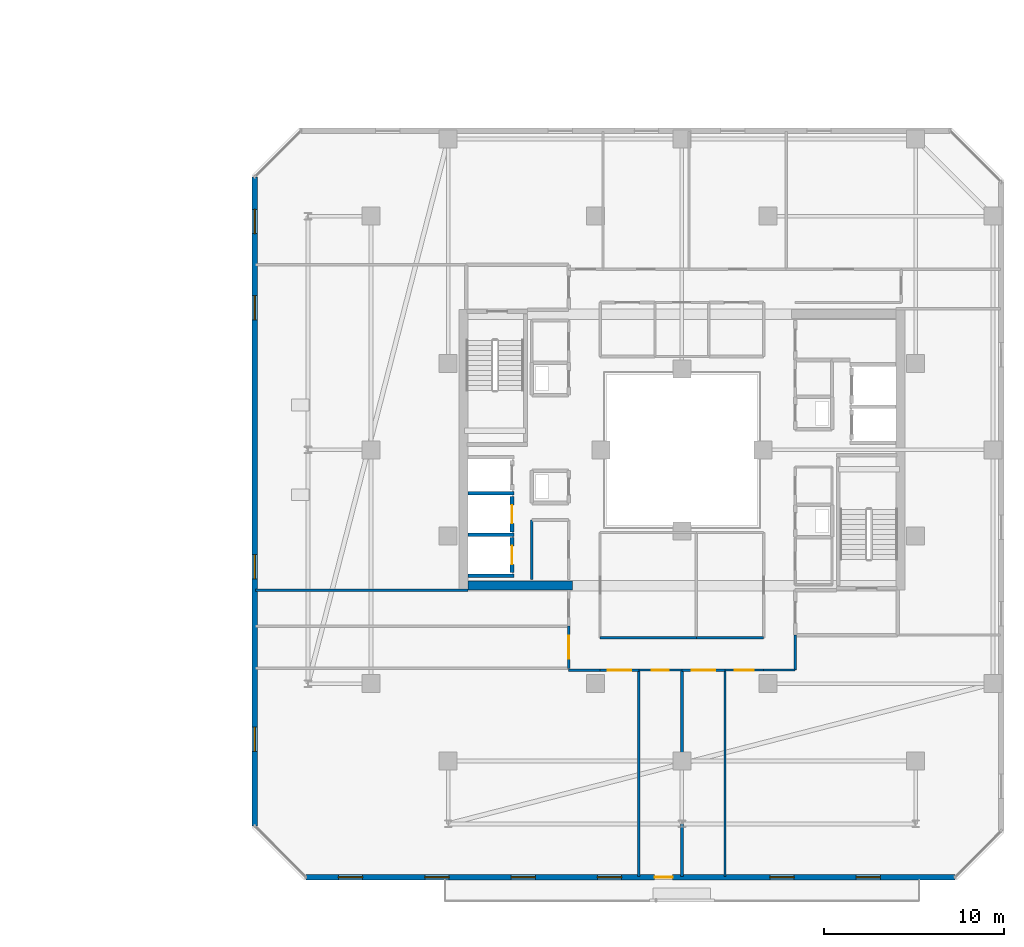
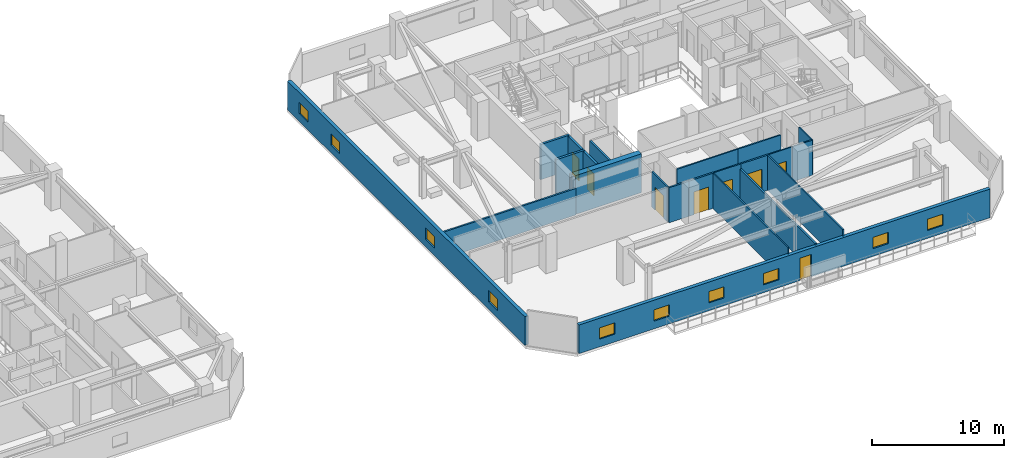
# One storey, part 23 of 33: 23 walls, 10 windows, 8 doors, 18 openings.
"""IFC4 building model written with IfcOpenShell, lengths in metres."""

import ifcopenshell
import ifcopenshell.guid

model = None  # the IFC model being written
_history = None  # IfcOwnerHistory: only IFC2X3 demands one
_inside = {}  # id of a spatial element -> (the spatial element, [elements in it])
_under = {}  # id of a project, library or spatial element -> (it, [spatial elements below it])
_declared = {}  # id of a project -> (the project, [libraries it declares])
_typed = {}  # id of a type object -> (the type object, [elements of that type])
_made_of = {}  # id of a material, layer set ... -> (it, [elements and type objects made of it])


def new_model(schema):
    """Start an empty IFC model of exactly this schema.

    Asked for "IFC4X3", IfcOpenShell would pick the latest addendum, in which some entities
    have other attributes; the version numbers below select the first issue.
    IFC2X3 requires an IfcOwnerHistory on every rooted entity: one is made here for all.
    """
    global model, _history
    if schema == "IFC4X3":
        model = ifcopenshell.file(schema_version=(4, 3, 0, 0))
    else:
        model = ifcopenshell.file(schema=schema)
    _inside.clear()
    _under.clear()
    _declared.clear()
    _typed.clear()
    _made_of.clear()
    _history = None
    if model.schema == "IFC2X3":
        org = make("IfcOrganization", Name="unknown")
        user = make(
            "IfcPersonAndOrganization",
            ThePerson=make("IfcPerson", FamilyName="unknown"),
            TheOrganization=org,
        )
        app = make(
            "IfcApplication",
            ApplicationDeveloper=org,
            Version="unknown",
            ApplicationFullName="unknown",
            ApplicationIdentifier="unknown",
        )
        _history = make(
            "IfcOwnerHistory",
            OwningUser=user,
            OwningApplication=app,
            ChangeAction="ADDED",
            CreationDate=0,
        )
    return model


def make(cls, **values):
    """One entity of the class cls with the attributes given. An attribute that is None is left unset."""
    return model.create_entity(
        cls, **{name: value for name, value in values.items() if value is not None}
    )


def rooted(cls, **values):
    """An entity with a GlobalId (a new one), such as an element, a storey or a relation."""
    return make(cls, GlobalId=ifcopenshell.guid.new(), OwnerHistory=_history, **values)


def si_unit(unit_type, name, prefix=None):
    """IfcSIUnit, for example si_unit("LENGTHUNIT", "METRE", prefix="MILLI")."""
    return make("IfcSIUnit", UnitType=unit_type, Prefix=prefix, Name=name)


def assignment(units):
    """IfcUnitAssignment: the units of a project."""
    return None if units is None else make("IfcUnitAssignment", Units=units)


def point(xyz):
    """IfcCartesianPoint."""
    return None if xyz is None else make("IfcCartesianPoint", Coordinates=xyz)


def direction(xyz):
    """IfcDirection."""
    return None if xyz is None else make("IfcDirection", DirectionRatios=xyz)


def frame(location, z_axis=None, x_axis=None):
    """IfcAxis2Placement3D, a coordinate frame: its origin and axes. An axis left out is left unset."""
    return make(
        "IfcAxis2Placement3D",
        Location=point(location),
        Axis=direction(z_axis),
        RefDirection=direction(x_axis),
    )


def frame_2d(location, x_axis=None):
    """IfcAxis2Placement2D, a coordinate frame in the plane: its origin and x axis."""
    return make(
        "IfcAxis2Placement2D", Location=point(location), RefDirection=direction(x_axis)
    )


def origin():
    """The frame at (0, 0, 0) with its axes left unset."""
    return frame((0.0, 0.0, 0.0))


def place(relative_to, where):
    """IfcLocalPlacement: puts the frame where relative to a parent placement (None: the world)."""
    return make(
        "IfcLocalPlacement", PlacementRelTo=relative_to, RelativePlacement=where
    )


def context(
    kind, dimensions, precision=None, world=None, true_north=None, identifier=None
):
    """IfcGeometricRepresentationContext, for example the 3D "Model" context."""
    return make(
        "IfcGeometricRepresentationContext",
        ContextIdentifier=identifier,
        ContextType=kind,
        CoordinateSpaceDimension=dimensions,
        Precision=precision,
        WorldCoordinateSystem=world,
        TrueNorth=true_north,
    )


def subcontext(parent, identifier, kind, view, scale=None):
    """IfcGeometricRepresentationSubContext, for example "Body" below "Model"."""
    return make(
        "IfcGeometricRepresentationSubContext",
        ContextIdentifier=identifier,
        ContextType=kind,
        ParentContext=parent,
        TargetScale=scale,
        TargetView=view,
    )


def project(units=None, contexts=None):
    """IfcProject with its units and contexts."""
    return rooted(
        "IfcProject",
        Name="project",
        RepresentationContexts=contexts,
        UnitsInContext=assignment(units),
    )


def spatial(cls, under=None, at=None, **own):
    """A site, building, storey or space (cls), placed at a placement, below another one or the project."""
    s = rooted(cls, ObjectPlacement=at, **own)
    if under is not None:
        _under.setdefault(under.id(), (under, []))[1].append(s)
    return s


def profile(cls, at=None, kind="AREA", **sizes):
    """A parametric profile (cls). Its sizes go by their IFC names, for example OverallWidth=200.0."""
    return make(cls, ProfileType=kind, Position=at, **sizes)


def rectangle(**sizes):
    """IfcRectangleProfileDef."""
    return profile("IfcRectangleProfileDef", **sizes)


def extrude(swept, where, along, depth):
    """IfcExtrudedAreaSolid: the profile swept, set in the frame where, extruded along a direction by depth."""
    return make(
        "IfcExtrudedAreaSolid",
        SweptArea=swept,
        Position=where,
        ExtrudedDirection=direction(along),
        Depth=depth,
    )


def shape(context_of_items, identifier, shape_type, items):
    """IfcShapeRepresentation: the items that make up one representation, for example the "Body"."""
    return make(
        "IfcShapeRepresentation",
        ContextOfItems=context_of_items,
        RepresentationIdentifier=identifier,
        RepresentationType=shape_type,
        Items=items,
    )


def material(Name=None, Category=None):
    """IfcMaterial."""
    return make("IfcMaterial", Name=Name, Category=Category)


def layer(
    of_material, thickness, ventilated=None, Name=None, Category=None, Priority=None
):
    """IfcMaterialLayer: one layer of a wall or slab, of a material (None: an air gap)."""
    return make(
        "IfcMaterialLayer",
        Material=of_material,
        LayerThickness=thickness,
        IsVentilated=ventilated,
        Name=Name,
        Category=Category,
        Priority=Priority,
    )


def layer_set(layers, Name=None):
    """IfcMaterialLayerSet."""
    return make("IfcMaterialLayerSet", MaterialLayers=layers, LayerSetName=Name)


def made_of(thing, what):
    """Note that an element or type object is made of a material, layer set ...; save() writes the relation."""
    if what is not None:
        _made_of.setdefault(what.id(), (what, []))[1].append(thing)
    return thing


def type_object(cls, material=None, **own):
    """A type object (cls), such as IfcWallType, which elements share."""
    return made_of(rooted(cls, **own), material)


def element(
    cls,
    number,
    at=None,
    inside=None,
    cuts=None,
    type_object=None,
    material=None,
    context=None,
    identifier="Body",
    shape_type=None,
    held_by="IfcProductDefinitionShape",
    body=None,
    shapes=None,
    **own,
):
    """One element of the class cls, such as IfcWall. Its Tag is "e" and its number.

    at: its placement. inside: the storey or other place that contains it. cuts: it is an
    opening in that element (IfcRelVoidsElement). A single representation is given by context,
    identifier, shape_type and body (its items); several are given by shapes. held_by: the class
    of the entity that holds the representations. save() writes the other relations.
    """
    e = rooted(cls, Tag="e%d" % number, ObjectPlacement=at, **own)
    if body is not None:
        shapes = [shape(context, identifier, shape_type, body)]
    if shapes is not None:
        e.Representation = make(held_by, Representations=shapes)
    if inside is not None:
        _inside.setdefault(inside.id(), (inside, []))[1].append(e)
    if cuts is not None:
        rooted(
            "IfcRelVoidsElement", RelatingBuildingElement=cuts, RelatedOpeningElement=e
        )
    if type_object is not None:
        _typed.setdefault(type_object.id(), (type_object, []))[1].append(e)
    return made_of(e, material)


def fill(opening, filler):
    """IfcRelFillsElement: the door or window that sits in an opening."""
    return rooted(
        "IfcRelFillsElement",
        RelatingOpeningElement=opening,
        RelatedBuildingElement=filler,
    )


def aggregate(whole, parts):
    """IfcRelAggregates: a whole, such as a stair, and the parts it consists of."""
    return rooted("IfcRelAggregates", RelatingObject=whole, RelatedObjects=parts)


def save(model, path):
    """Write the relations noted so far, then the file.

    IfcRelAggregates (storeys below a building ...), IfcRelContainedInSpatialStructure (elements
    in a storey), IfcRelDefinesByType, IfcRelAssociatesMaterial and IfcRelDeclares: one each for
    every whole, place, type object, material and project.
    """
    for whole, parts in _under.values():
        aggregate(whole, parts)
    for where, things in _inside.values():
        rooted(
            "IfcRelContainedInSpatialStructure",
            RelatedElements=things,
            RelatingStructure=where,
        )
    for kind, things in _typed.values():
        rooted("IfcRelDefinesByType", RelatedObjects=things, RelatingType=kind)
    for what, things in _made_of.values():
        rooted("IfcRelAssociatesMaterial", RelatedObjects=things, RelatingMaterial=what)
    for by, libraries in _declared.values():
        rooted("IfcRelDeclares", RelatingContext=by, RelatedDefinitions=libraries)
    model.write(path)


model = new_model("IFC4")

# Units and contexts
model_context = context("Model", 3, precision=1e-05, world=origin(), true_north=direction((0.0, 1.0)))
body_context = subcontext(model_context, "Body", "Model", "MODEL_VIEW")
ifc_project = project(units=[si_unit("LENGTHUNIT", "METRE"), si_unit("AREAUNIT", "SQUARE_METRE"), si_unit("VOLUMEUNIT", "CUBIC_METRE"), si_unit("PLANEANGLEUNIT", "RADIAN"), si_unit("MASSUNIT", "GRAM", prefix="KILO")], contexts=[model_context])

# Site, building, storey
site_placement = place(None, origin())
site = spatial("IfcSite", under=ifc_project, at=site_placement, CompositionType="ELEMENT")
building_placement = place(site_placement, origin())
building = spatial("IfcBuilding", under=site, at=building_placement, Name="Thornwick Lancets Civic Towers", CompositionType="ELEMENT")
storey_placement = place(building_placement, frame((0.0, 0.0, 218.10009765625)))
storey = spatial("IfcBuildingStorey", under=building, at=storey_placement, Name="L58", CompositionType="ELEMENT", Elevation=218.10009765625)

# Wall, opening, door
ifc_material_1 = material(Name="Concrete blockwork C40/50", Category="masonry")
ifc_layer_1 = layer(ifc_material_1, 0.199951171875, Name="Concrete blockwork C40/50")
ifc_layer_set_1 = layer_set([ifc_layer_1], Name="Concrete blockwork C40/50")
wall_type_1 = type_object("IfcWallType", Name="WALL_COMP_200", PredefinedType="STANDARD", material=ifc_layer_set_1)
wall_1_placement = place(storey_placement, frame((79.050048828125, 22.429931640625, 0.0), z_axis=(0.0, 0.0, 1.0), x_axis=(0.0, 1.0, 0.0)))
wall_1 = element("IfcWall", 1, at=wall_1_placement, inside=storey, type_object=wall_type_1, Name="L58 Hoistway Front Wall PL-BH2", PredefinedType="STANDARD", context=body_context, shape_type="SweptSolid", body=[
    extrude(rectangle(XDim=1.989990234375, YDim=0.199951171875, at=frame_2d((0.9951171875, 0.0))), origin(), (0.0, 0.0, 1.0), 3.260009765625),
])
opening_1_placement = place(wall_1_placement, frame((0.485107421875, 0.0, 0.0)))
opening_1 = element("IfcOpeningElement", 2, at=opening_1_placement, cuts=wall_1, Name="Opening LD-PL-BH2", PredefinedType="OPENING", context=body_context, shape_type="SweptSolid", body=[
    extrude(rectangle(XDim=1.02001953125, YDim=2.06005859375, at=frame_2d((0.510009765625, 1.030029296875))), frame((0.0, 0.10986328125, 0.0), z_axis=(0.0, -1.0, 0.0), x_axis=(1.0, 0.0, 0.0)), (0.0, 0.0, 1.0), 0.219970703125),
])
ifc_material_2 = material(Name="Brushed bronze stainless steel", Category="steel")
door_type_1 = type_object("IfcDoorType", Name="DOOR_LIFT_SLIDE", OperationType="SLIDING_TO_LEFT", PredefinedType="DOOR", material=ifc_material_2)
door_1_placement = place(opening_1_placement, origin())
door_1 = element("IfcDoor", 3, at=door_1_placement, inside=storey, type_object=door_type_1, Name="L58 Sliding Lift Landing Door LD-PL-BH2", OperationType="SLIDING_TO_LEFT", OverallHeight=2.06005859375, OverallWidth=1.02001953125, PredefinedType="DOOR", context=body_context, shape_type="SweptSolid", body=[
    extrude(rectangle(XDim=1.02001953125, YDim=2.06005859375, at=frame_2d((0.510009765625, 1.030029296875))), frame((0.0, 0.02490234375, 0.0), z_axis=(0.0, -1.0, 0.0), x_axis=(1.0, 0.0, 0.0)), (0.0, 0.0, 1.0), 0.050048828125),
])
fill(opening_1, door_1)

wall_2_placement = place(storey_placement, frame((79.050048828125, 20.179931640625, 0.0), z_axis=(0.0, 0.0, 1.0), x_axis=(0.0, 1.0, 0.0)))
wall_2 = element("IfcWall", 4, at=wall_2_placement, inside=storey, type_object=wall_type_1, Name="L58 Hoistway Front Wall PL-BH3", PredefinedType="STANDARD", context=body_context, shape_type="SweptSolid", body=[
    extrude(rectangle(XDim=1.940185546875, YDim=0.199951171875, at=frame_2d((0.97021484375, 0.0))), origin(), (0.0, 0.0, 1.0), 3.260009765625),
])
opening_2_placement = place(wall_2_placement, frame((0.4599609375, 0.0, 0.0)))
opening_2 = element("IfcOpeningElement", 5, at=opening_2_placement, cuts=wall_2, Name="Opening LD-PL-BH3", PredefinedType="OPENING", context=body_context, shape_type="SweptSolid", body=[
    extrude(rectangle(XDim=1.02001953125, YDim=2.06005859375, at=frame_2d((0.510009765625, 1.030029296875))), frame((0.0, 0.10986328125, 0.0), z_axis=(0.0, -1.0, 0.0), x_axis=(1.0, 0.0, 0.0)), (0.0, 0.0, 1.0), 0.219970703125),
])
door_2_placement = place(opening_2_placement, origin())
door_2 = element("IfcDoor", 6, at=door_2_placement, inside=storey, type_object=door_type_1, Name="L58 Sliding Lift Landing Door LD-PL-BH3", OperationType="SLIDING_TO_LEFT", OverallHeight=2.06005859375, OverallWidth=1.02001953125, PredefinedType="DOOR", context=body_context, shape_type="SweptSolid", body=[
    extrude(rectangle(XDim=1.02001953125, YDim=2.06005859375, at=frame_2d((0.510009765625, 1.030029296875))), frame((0.0, 0.02490234375, 0.0), z_axis=(0.0, -1.0, 0.0), x_axis=(1.0, 0.0, 0.0)), (0.0, 0.0, 1.0), 0.050048828125),
])
fill(opening_2, door_2)

# Walls
for number, where, z_axis, x_axis, name in (
    (7, (76.612060546875, 24.60009765625, 0.0), (0.0, 0.0, 1.0), (1.0, 0.0, 0.0), "L58 Hoistway Shaft Wall FL-B2 S"),
    (8, (76.612060546875, 22.27490234375, 0.0), (0.0, 0.0, 1.0), (1.0, 0.0, 0.0), "L58 Hoistway Shaft Wall PL-BH2 S"),
    (9, (76.612060546875, 20.0, 0.0), (0.0, 0.0, 1.0), (1.0, 0.0, 0.0), "L58 Hoistway Shaft Wall PL-BH3 S"),
):
    element("IfcWall", number, at=place(storey_placement, frame(where, z_axis=z_axis, x_axis=x_axis)), inside=storey, type_object=wall_type_1, Name=name, PredefinedType="STANDARD", context=body_context, shape_type="SweptSolid", body=[
        extrude(rectangle(XDim=2.535888671875, YDim=0.199951171875, at=frame_2d((1.26806640625, 0.0))), origin(), (0.0, 0.0, 1.0), 3.260009765625),
    ])
ifc_material_3 = material(Name="Concrete C50/60", Category="concrete")
ifc_layer_2 = layer(ifc_material_3, 0.5, Name="Concrete C50/60")
ifc_layer_set_2 = layer_set([ifc_layer_2], Name="Concrete C50/60")
wall_type_2 = type_object("IfcWallType", Name="WALL_CORE_500", PredefinedType="SHEAR", material=ifc_layer_set_2)
wall_3_placement = place(storey_placement, frame((76.60009765625, 19.449951171875, 0.0), z_axis=(0.0, 0.0, 1.0), x_axis=(1.0, 0.0, 0.0)))
element("IfcWall", 10, at=wall_3_placement, inside=storey, type_object=wall_type_2, Name="L58 Split Core B2 Shear Wall S", PredefinedType="SHEAR", context=body_context, shape_type="SweptSolid", body=[
    extrude(rectangle(XDim=5.7998046875, YDim=0.5, at=frame_2d((2.89990234375, 0.0))), origin(), (0.0, 0.0, 1.0), 3.599853515625),
])

# Wall, openings, door, windows
ifc_material_4 = material(Name="Insulated russet terracotta rainscreen on concrete C40/50", Category="masonry")
ifc_layer_3 = layer(ifc_material_4, 0.300048828125, Name="Insulated russet terracotta rainscreen on concrete C40/50")
ifc_layer_set_3 = layer_set([ifc_layer_3], Name="Insulated russet terracotta rainscreen on concrete C40/50")
wall_type_3 = type_object("IfcWallType", Name="WALL_EXT_RUSSET_300", PredefinedType="STANDARD", material=ifc_layer_set_3)
wall_4_placement = place(storey_placement, frame((67.594482421875, 3.236328125, 0.0), z_axis=(0.0, 0.0, 1.0), x_axis=(0.999999999634, -2.7061402e-05, 0.0)))
wall_4 = element("IfcWall", 11, at=wall_4_placement, inside=storey, type_object=wall_type_3, Name="L58 Tower B Terracotta Facade Wall E0", PredefinedType="STANDARD", context=body_context, shape_type="SweptSolid", body=[
    extrude(rectangle(XDim=36.0869140625, YDim=0.300048828125, at=frame_2d((18.04345703125, 0.0))), origin(), (0.0, 0.0, 1.0), 2.659912109375),
])
opening_3_placement = place(wall_4_placement, frame((19.393310546875, 0.0, 0.0)))
opening_3 = element("IfcOpeningElement", 12, at=opening_3_placement, cuts=wall_4, Name="Opening D-BL-L58-BS", PredefinedType="OPENING", context=body_context, shape_type="SweptSolid", body=[
    extrude(rectangle(XDim=1.0, YDim=2.080078125, at=frame_2d((0.5, 1.0400390625))), frame((0.0, 0.16015625, 0.0), z_axis=(0.0, -1.0, 0.0), x_axis=(1.0, 0.0, 0.0)), (0.0, 0.0, 1.0), 0.320068359375),
])
opening_4_placement = place(wall_4_placement, frame((1.800048828125, 0.0, 0.719970703125)))
opening_4 = element("IfcOpeningElement", 13, at=opening_4_placement, cuts=wall_4, Name="Opening WL-03", PredefinedType="OPENING", context=body_context, shape_type="SweptSolid", body=[
    extrude(rectangle(XDim=1.35009765625, YDim=1.050048828125, at=frame_2d((0.675048828125, 0.52490234375))), frame((0.0, 0.16015625, 0.0), z_axis=(0.0, -1.0, 0.0), x_axis=(1.0, 0.0, 0.0)), (0.0, 0.0, 1.0), 0.320068359375),
])
opening_5_placement = place(wall_4_placement, frame((6.60009765625, 0.0, 0.719970703125)))
opening_5 = element("IfcOpeningElement", 14, at=opening_5_placement, cuts=wall_4, Name="Opening WL-03", PredefinedType="OPENING", context=body_context, shape_type="SweptSolid", body=[
    extrude(rectangle(XDim=1.35009765625, YDim=1.050048828125, at=frame_2d((0.675048828125, 0.52490234375))), frame((0.0, 0.16015625, 0.0), z_axis=(0.0, -1.0, 0.0), x_axis=(1.0, 0.0, 0.0)), (0.0, 0.0, 1.0), 0.320068359375),
])
opening_6_placement = place(wall_4_placement, frame((11.39990234375, 0.0, 0.719970703125)))
opening_6 = element("IfcOpeningElement", 15, at=opening_6_placement, cuts=wall_4, Name="Opening WL-03", PredefinedType="OPENING", context=body_context, shape_type="SweptSolid", body=[
    extrude(rectangle(XDim=1.35009765625, YDim=1.050048828125, at=frame_2d((0.675048828125, 0.52490234375))), frame((0.0, 0.16015625, 0.0), z_axis=(0.0, -1.0, 0.0), x_axis=(1.0, 0.0, 0.0)), (0.0, 0.0, 1.0), 0.320068359375),
])
opening_7_placement = place(wall_4_placement, frame((16.199951171875, 0.0, 0.719970703125)))
opening_7 = element("IfcOpeningElement", 16, at=opening_7_placement, cuts=wall_4, Name="Opening WL-03", PredefinedType="OPENING", context=body_context, shape_type="SweptSolid", body=[
    extrude(rectangle(XDim=1.35009765625, YDim=1.050048828125, at=frame_2d((0.675048828125, 0.52490234375))), frame((0.0, 0.16015625, 0.0), z_axis=(0.0, -1.0, 0.0), x_axis=(1.0, 0.0, 0.0)), (0.0, 0.0, 1.0), 0.320068359375),
])
opening_8_placement = place(wall_4_placement, frame((25.800048828125, 0.0, 0.719970703125)))
opening_8 = element("IfcOpeningElement", 17, at=opening_8_placement, cuts=wall_4, Name="Opening WL-03", PredefinedType="OPENING", context=body_context, shape_type="SweptSolid", body=[
    extrude(rectangle(XDim=1.35009765625, YDim=1.050048828125, at=frame_2d((0.675048828125, 0.52490234375))), frame((0.0, 0.16015625, 0.0), z_axis=(0.0, -1.0, 0.0), x_axis=(1.0, 0.0, 0.0)), (0.0, 0.0, 1.0), 0.320068359375),
])
opening_9_placement = place(wall_4_placement, frame((30.60009765625, 0.0, 0.719970703125)))
opening_9 = element("IfcOpeningElement", 18, at=opening_9_placement, cuts=wall_4, Name="Opening WL-03", PredefinedType="OPENING", context=body_context, shape_type="SweptSolid", body=[
    extrude(rectangle(XDim=1.35009765625, YDim=1.050048828125, at=frame_2d((0.675048828125, 0.52490234375))), frame((0.0, 0.16015625, 0.0), z_axis=(0.0, -1.0, 0.0), x_axis=(1.0, 0.0, 0.0)), (0.0, 0.0, 1.0), 0.320068359375),
])
ifc_material_5 = material(Name="Thermally broken glazed loggia doorset")
door_type_2 = type_object("IfcDoorType", Name="DOOR_BALC_1000", OperationType="NOTDEFINED", PredefinedType="DOOR", material=ifc_material_5)
door_3_placement = place(opening_3_placement, origin())
door_3 = element("IfcDoor", 19, at=door_3_placement, inside=storey, type_object=door_type_2, Name="L58 Tower B Loggia Balcony Door S", OperationType="SINGLE_SWING_LEFT", OverallHeight=2.080078125, OverallWidth=1.0, PredefinedType="DOOR", context=body_context, shape_type="SweptSolid", body=[
    extrude(rectangle(XDim=1.0, YDim=2.080078125, at=frame_2d((0.5, 1.0400390625))), frame((0.0, 0.02490234375, 0.0), z_axis=(0.0, -1.0, 0.0), x_axis=(1.0, 0.0, 0.0)), (0.0, 0.0, 1.0), 0.050048828125),
])
fill(opening_3, door_3)
ifc_material_6 = material(Name="Clear low-e double glazing clerestory lancet", Category="glass")
window_type = type_object("IfcWindowType", Name="WIN_LANCET_1350", PartitioningType="SINGLE_PANEL", PredefinedType="WINDOW", material=ifc_material_6)
window_1_placement = place(opening_4_placement, origin())
window_1 = element("IfcWindow", 20, at=window_1_placement, inside=storey, type_object=window_type, Name="L58 Tower B Staggered Lancet Window E0-1", OverallHeight=1.050048828125, OverallWidth=1.35009765625, PartitioningType="SINGLE_PANEL", PredefinedType="WINDOW", context=body_context, shape_type="SweptSolid", body=[
    extrude(rectangle(XDim=1.35009765625, YDim=1.050048828125, at=frame_2d((0.675048828125, 0.52490234375))), frame((0.0, 0.030029296875, 0.0), z_axis=(0.0, -1.0, 0.0), x_axis=(1.0, 0.0, 0.0)), (0.0, 0.0, 1.0), 0.06005859375),
])
fill(opening_4, window_1)
window_2_placement = place(opening_5_placement, origin())
window_2 = element("IfcWindow", 21, at=window_2_placement, inside=storey, type_object=window_type, Name="L58 Tower B Staggered Lancet Window E0-2", OverallHeight=1.050048828125, OverallWidth=1.35009765625, PartitioningType="SINGLE_PANEL", PredefinedType="WINDOW", context=body_context, shape_type="SweptSolid", body=[
    extrude(rectangle(XDim=1.35009765625, YDim=1.050048828125, at=frame_2d((0.675048828125, 0.52490234375))), frame((0.0, 0.030029296875, 0.0), z_axis=(0.0, -1.0, 0.0), x_axis=(1.0, 0.0, 0.0)), (0.0, 0.0, 1.0), 0.06005859375),
])
fill(opening_5, window_2)
window_3_placement = place(opening_6_placement, origin())
window_3 = element("IfcWindow", 22, at=window_3_placement, inside=storey, type_object=window_type, Name="L58 Tower B Staggered Lancet Window E0-3", OverallHeight=1.050048828125, OverallWidth=1.35009765625, PartitioningType="SINGLE_PANEL", PredefinedType="WINDOW", context=body_context, shape_type="SweptSolid", body=[
    extrude(rectangle(XDim=1.35009765625, YDim=1.050048828125, at=frame_2d((0.675048828125, 0.52490234375))), frame((0.0, 0.030029296875, 0.0), z_axis=(0.0, -1.0, 0.0), x_axis=(1.0, 0.0, 0.0)), (0.0, 0.0, 1.0), 0.06005859375),
])
fill(opening_6, window_3)
window_4_placement = place(opening_7_placement, origin())
window_4 = element("IfcWindow", 23, at=window_4_placement, inside=storey, type_object=window_type, Name="L58 Tower B Staggered Lancet Window E0-4", OverallHeight=1.050048828125, OverallWidth=1.35009765625, PartitioningType="SINGLE_PANEL", PredefinedType="WINDOW", context=body_context, shape_type="SweptSolid", body=[
    extrude(rectangle(XDim=1.35009765625, YDim=1.050048828125, at=frame_2d((0.675048828125, 0.52490234375))), frame((0.0, 0.030029296875, 0.0), z_axis=(0.0, -1.0, 0.0), x_axis=(1.0, 0.0, 0.0)), (0.0, 0.0, 1.0), 0.06005859375),
])
fill(opening_7, window_4)
window_5_placement = place(opening_8_placement, origin())
window_5 = element("IfcWindow", 24, at=window_5_placement, inside=storey, type_object=window_type, Name="L58 Tower B Staggered Lancet Window E0-5", OverallHeight=1.050048828125, OverallWidth=1.35009765625, PartitioningType="SINGLE_PANEL", PredefinedType="WINDOW", context=body_context, shape_type="SweptSolid", body=[
    extrude(rectangle(XDim=1.35009765625, YDim=1.050048828125, at=frame_2d((0.675048828125, 0.52490234375))), frame((0.0, 0.030029296875, 0.0), z_axis=(0.0, -1.0, 0.0), x_axis=(1.0, 0.0, 0.0)), (0.0, 0.0, 1.0), 0.06005859375),
])
fill(opening_8, window_5)
window_6_placement = place(opening_9_placement, origin())
window_6 = element("IfcWindow", 25, at=window_6_placement, inside=storey, type_object=window_type, Name="L58 Tower B Staggered Lancet Window E0-6", OverallHeight=1.050048828125, OverallWidth=1.35009765625, PartitioningType="SINGLE_PANEL", PredefinedType="WINDOW", context=body_context, shape_type="SweptSolid", body=[
    extrude(rectangle(XDim=1.35009765625, YDim=1.050048828125, at=frame_2d((0.675048828125, 0.52490234375))), frame((0.0, 0.030029296875, 0.0), z_axis=(0.0, -1.0, 0.0), x_axis=(1.0, 0.0, 0.0)), (0.0, 0.0, 1.0), 0.06005859375),
])
fill(opening_9, window_6)

# Wall, openings, windows
wall_5_placement = place(storey_placement, frame((64.7353515625, 42.181396484375, 0.0), z_axis=(0.0, 0.0, 1.0), x_axis=(2.7061402e-05, -0.999999999634, 0.0)))
wall_5 = element("IfcWall", 26, at=wall_5_placement, inside=storey, type_object=wall_type_3, Name="L58 Tower B Terracotta Facade Wall E6", PredefinedType="STANDARD", context=body_context, shape_type="SweptSolid", body=[
    extrude(rectangle(XDim=36.0869140625, YDim=0.300048828125, at=frame_2d((18.04345703125, 0.0))), origin(), (0.0, 0.0, 1.0), 2.659912109375),
])
opening_10_placement = place(wall_5_placement, frame((1.800048828125, 0.0, 0.719970703125)))
opening_10 = element("IfcOpeningElement", 27, at=opening_10_placement, cuts=wall_5, Name="Opening WL-03", PredefinedType="OPENING", context=body_context, shape_type="SweptSolid", body=[
    extrude(rectangle(XDim=1.35009765625, YDim=1.050048828125, at=frame_2d((0.675048828125, 0.52490234375))), frame((0.0, 0.16015625, 0.0), z_axis=(0.0, -1.0, 0.0), x_axis=(1.0, 0.0, 0.0)), (0.0, 0.0, 1.0), 0.320068359375),
])
opening_11_placement = place(wall_5_placement, frame((6.60009765625, 0.0, 0.719970703125)))
opening_11 = element("IfcOpeningElement", 28, at=opening_11_placement, cuts=wall_5, Name="Opening WL-03", PredefinedType="OPENING", context=body_context, shape_type="SweptSolid", body=[
    extrude(rectangle(XDim=1.35009765625, YDim=1.050048828125, at=frame_2d((0.675048828125, 0.52490234375))), frame((0.0, 0.16015625, 0.0), z_axis=(0.0, -1.0, 0.0), x_axis=(1.0, 0.0, 0.0)), (0.0, 0.0, 1.0), 0.320068359375),
])
opening_12_placement = place(wall_5_placement, frame((21.0, 0.0, 0.719970703125)))
opening_12 = element("IfcOpeningElement", 29, at=opening_12_placement, cuts=wall_5, Name="Opening WL-03", PredefinedType="OPENING", context=body_context, shape_type="SweptSolid", body=[
    extrude(rectangle(XDim=1.35009765625, YDim=1.050048828125, at=frame_2d((0.675048828125, 0.52490234375))), frame((0.0, 0.16015625, 0.0), z_axis=(0.0, -1.0, 0.0), x_axis=(1.0, 0.0, 0.0)), (0.0, 0.0, 1.0), 0.320068359375),
])
opening_13_placement = place(wall_5_placement, frame((30.60009765625, 0.0, 0.719970703125)))
opening_13 = element("IfcOpeningElement", 30, at=opening_13_placement, cuts=wall_5, Name="Opening WL-03", PredefinedType="OPENING", context=body_context, shape_type="SweptSolid", body=[
    extrude(rectangle(XDim=1.35009765625, YDim=1.050048828125, at=frame_2d((0.675048828125, 0.52490234375))), frame((0.0, 0.16015625, 0.0), z_axis=(0.0, -1.0, 0.0), x_axis=(1.0, 0.0, 0.0)), (0.0, 0.0, 1.0), 0.320068359375),
])
window_7_placement = place(opening_10_placement, origin())
window_7 = element("IfcWindow", 31, at=window_7_placement, inside=storey, type_object=window_type, Name="L58 Tower B Staggered Lancet Window E6-1", OverallHeight=1.050048828125, OverallWidth=1.35009765625, PartitioningType="SINGLE_PANEL", PredefinedType="WINDOW", context=body_context, shape_type="SweptSolid", body=[
    extrude(rectangle(XDim=1.35009765625, YDim=1.050048828125, at=frame_2d((0.675048828125, 0.52490234375))), frame((0.0, 0.030029296875, 0.0), z_axis=(0.0, -1.0, 0.0), x_axis=(1.0, 0.0, 0.0)), (0.0, 0.0, 1.0), 0.06005859375),
])
fill(opening_10, window_7)
window_8_placement = place(opening_11_placement, origin())
window_8 = element("IfcWindow", 32, at=window_8_placement, inside=storey, type_object=window_type, Name="L58 Tower B Staggered Lancet Window E6-2", OverallHeight=1.050048828125, OverallWidth=1.35009765625, PartitioningType="SINGLE_PANEL", PredefinedType="WINDOW", context=body_context, shape_type="SweptSolid", body=[
    extrude(rectangle(XDim=1.35009765625, YDim=1.050048828125, at=frame_2d((0.675048828125, 0.52490234375))), frame((0.0, 0.030029296875, 0.0), z_axis=(0.0, -1.0, 0.0), x_axis=(1.0, 0.0, 0.0)), (0.0, 0.0, 1.0), 0.06005859375),
])
fill(opening_11, window_8)
window_9_placement = place(opening_12_placement, origin())
window_9 = element("IfcWindow", 33, at=window_9_placement, inside=storey, type_object=window_type, Name="L58 Tower B Staggered Lancet Window E6-3", OverallHeight=1.050048828125, OverallWidth=1.35009765625, PartitioningType="SINGLE_PANEL", PredefinedType="WINDOW", context=body_context, shape_type="SweptSolid", body=[
    extrude(rectangle(XDim=1.35009765625, YDim=1.050048828125, at=frame_2d((0.675048828125, 0.52490234375))), frame((0.0, 0.030029296875, 0.0), z_axis=(0.0, -1.0, 0.0), x_axis=(1.0, 0.0, 0.0)), (0.0, 0.0, 1.0), 0.06005859375),
])
fill(opening_12, window_9)
window_10_placement = place(opening_13_placement, origin())
window_10 = element("IfcWindow", 34, at=window_10_placement, inside=storey, type_object=window_type, Name="L58 Tower B Staggered Lancet Window E6-4", OverallHeight=1.050048828125, OverallWidth=1.35009765625, PartitioningType="SINGLE_PANEL", PredefinedType="WINDOW", context=body_context, shape_type="SweptSolid", body=[
    extrude(rectangle(XDim=1.35009765625, YDim=1.050048828125, at=frame_2d((0.675048828125, 0.52490234375))), frame((0.0, 0.030029296875, 0.0), z_axis=(0.0, -1.0, 0.0), x_axis=(1.0, 0.0, 0.0)), (0.0, 0.0, 1.0), 0.06005859375),
])
fill(opening_13, window_10)

# Wall
ifc_material_7 = material(Name="Acoustic gypsum board partition")
ifc_layer_4 = layer(ifc_material_7, 0.1201171875, Name="Acoustic gypsum board partition")
ifc_layer_set_4 = layer_set([ifc_layer_4], Name="Acoustic gypsum board partition")
wall_type_4 = type_object("IfcWallType", Name="WALL_PART_120", PredefinedType="PARTITIONING", material=ifc_layer_set_4)
wall_6_placement = place(storey_placement, frame((90.89990234375, 3.280029296875, 0.0), z_axis=(0.0, 0.0, 1.0), x_axis=(0.0, 1.0, 0.0)))
element("IfcWall", 35, at=wall_6_placement, inside=storey, type_object=wall_type_4, Name="L58 Partition L58-B-W1 E2", PredefinedType="PARTITIONING", context=body_context, shape_type="SweptSolid", body=[
    extrude(rectangle(XDim=11.469970703125, YDim=0.1201171875, at=frame_2d((5.73486328125, 0.0))), origin(), (0.0, 0.0, 1.0), 3.260009765625),
])

# Wall, opening, door
wall_7_placement = place(storey_placement, frame((90.89990234375, 14.75, 0.0), z_axis=(0.0, 0.0, 1.0), x_axis=(1.0, 0.0, 0.0)))
wall_7 = element("IfcWall", 36, at=wall_7_placement, inside=storey, type_object=wall_type_4, Name="L58 Partition L58-B-W1 E3", PredefinedType="PARTITIONING", context=body_context, shape_type="SweptSolid", body=[
    extrude(rectangle(XDim=2.150146484375, YDim=0.1201171875, at=frame_2d((1.0751953125, 0.0))), origin(), (0.0, 0.0, 1.0), 3.260009765625),
])
opening_14_placement = place(wall_7_placement, frame((0.550048828125, 0.0, 0.0)))
opening_14 = element("IfcOpeningElement", 37, at=opening_14_placement, cuts=wall_7, Name="Opening D-L58-2622", PredefinedType="OPENING", context=body_context, shape_type="SweptSolid", body=[
    extrude(rectangle(XDim=1.050048828125, YDim=2.10009765625, at=frame_2d((0.52490234375, 1.050048828125))), frame((0.0, 0.070068359375, 0.0), z_axis=(0.0, -1.0, 0.0), x_axis=(1.0, 0.0, 0.0)), (0.0, 0.0, 1.0), 0.14013671875),
])
ifc_material_8 = material(Name="Glazed European oak executive doorset")
door_type_3 = type_object("IfcDoorType", Name="DOOR_OFFICE_1050", OperationType="NOTDEFINED", PredefinedType="DOOR", material=ifc_material_8)
door_4_placement = place(opening_14_placement, origin())
door_4 = element("IfcDoor", 38, at=door_4_placement, inside=storey, type_object=door_type_3, Name="L58 Tower B Ministry Directorate Office W1 Door", OperationType="SINGLE_SWING_LEFT", OverallHeight=2.10009765625, OverallWidth=1.050048828125, PredefinedType="DOOR", context=body_context, shape_type="SweptSolid", body=[
    extrude(rectangle(XDim=1.050048828125, YDim=2.10009765625, at=frame_2d((0.52490234375, 1.050048828125))), frame((0.0, 0.02490234375, 0.0), z_axis=(0.0, -1.0, 0.0), x_axis=(1.0, 0.0, 0.0)), (0.0, 0.0, 1.0), 0.050048828125),
])
fill(opening_14, door_4)

# Walls
wall_8_placement = place(storey_placement, frame((93.050048828125, 14.75, 0.0), z_axis=(0.0, 0.0, 1.0), x_axis=(1.0, 0.0, 0.0)))
element("IfcWall", 39, at=wall_8_placement, inside=storey, type_object=wall_type_4, Name="L58 Partition L58-B-W1 E4", PredefinedType="PARTITIONING", context=body_context, shape_type="SweptSolid", body=[
    extrude(rectangle(XDim=1.75, YDim=0.1201171875, at=frame_2d((0.875, 0.0))), origin(), (0.0, 0.0, 1.0), 3.260009765625),
])
wall_9_placement = place(storey_placement, frame((94.800048828125, 14.75, 0.0), z_axis=(0.0, 0.0, 1.0), x_axis=(0.0, 1.0, 0.0)))
element("IfcWall", 40, at=wall_9_placement, inside=storey, type_object=wall_type_4, Name="L58 Partition L58-B-W1 E5", PredefinedType="PARTITIONING", context=body_context, shape_type="SweptSolid", body=[
    extrude(rectangle(XDim=1.949951171875, YDim=0.1201171875, at=frame_2d((0.97509765625, 0.0))), origin(), (0.0, 0.0, 1.0), 3.260009765625),
])
wall_10_placement = place(storey_placement, frame((86.10009765625, 3.280029296875, 0.0), z_axis=(0.0, 0.0, 1.0), x_axis=(0.0, 1.0, 0.0)))
element("IfcWall", 41, at=wall_10_placement, inside=storey, type_object=wall_type_4, Name="L58 Partition L58-B-W2B E3", PredefinedType="PARTITIONING", context=body_context, shape_type="SweptSolid", body=[
    extrude(rectangle(XDim=11.469970703125, YDim=0.1201171875, at=frame_2d((5.73486328125, 0.0))), origin(), (0.0, 0.0, 1.0), 3.260009765625),
])

# Wall, opening, door
wall_11_placement = place(storey_placement, frame((86.10009765625, 14.75, 0.0), z_axis=(0.0, 0.0, 1.0), x_axis=(1.0, 0.0, 0.0)))
wall_11 = element("IfcWall", 42, at=wall_11_placement, inside=storey, type_object=wall_type_4, Name="L58 Partition L58-B-W2B E4", PredefinedType="PARTITIONING", context=body_context, shape_type="SweptSolid", body=[
    extrude(rectangle(XDim=2.39990234375, YDim=0.1201171875, at=frame_2d((1.199951171875, 0.0))), origin(), (0.0, 0.0, 1.0), 3.260009765625),
])
opening_15_placement = place(wall_11_placement, frame((0.72509765625, 0.0, 0.0)))
opening_15 = element("IfcOpeningElement", 43, at=opening_15_placement, cuts=wall_11, Name="Opening D-L58-2624", PredefinedType="OPENING", context=body_context, shape_type="SweptSolid", body=[
    extrude(rectangle(XDim=0.949951171875, YDim=2.10009765625, at=frame_2d((0.47509765625, 1.050048828125))), frame((0.0, 0.070068359375, 0.0), z_axis=(0.0, -1.0, 0.0), x_axis=(1.0, 0.0, 0.0)), (0.0, 0.0, 1.0), 0.14013671875),
])
ifc_material_9 = material(Name="European oak acoustic doorset")
door_type_4 = type_object("IfcDoorType", Name="DOOR_OFFICE_950", OperationType="NOTDEFINED", PredefinedType="DOOR", material=ifc_material_9)
door_5_placement = place(opening_15_placement, origin())
door_5 = element("IfcDoor", 44, at=door_5_placement, inside=storey, type_object=door_type_4, Name="L58 Tower B Senior Counsel Office W2B Door", OperationType="SINGLE_SWING_LEFT", OverallHeight=2.10009765625, OverallWidth=0.949951171875, PredefinedType="DOOR", context=body_context, shape_type="SweptSolid", body=[
    extrude(rectangle(XDim=0.949951171875, YDim=2.10009765625, at=frame_2d((0.47509765625, 1.050048828125))), frame((0.0, 0.02490234375, 0.0), z_axis=(0.0, -1.0, 0.0), x_axis=(1.0, 0.0, 0.0)), (0.0, 0.0, 1.0), 0.050048828125),
])
fill(opening_15, door_5)

# Walls
wall_12_placement = place(storey_placement, frame((93.050048828125, 16.550048828125, 0.0), z_axis=(0.0, 0.0, 1.0), x_axis=(-1.0, 0.0, 0.0)))
element("IfcWall", 45, at=wall_12_placement, inside=storey, type_object=wall_type_4, Name="L58 Partition L58-B-W3 E4", PredefinedType="PARTITIONING", context=body_context, shape_type="SweptSolid", body=[
    extrude(rectangle(XDim=3.75, YDim=0.1201171875, at=frame_2d((1.875, 0.0))), origin(), (0.0, 0.0, 1.0), 3.260009765625),
])
wall_13_placement = place(storey_placement, frame((89.300048828125, 16.550048828125, 0.0), z_axis=(0.0, 0.0, 1.0), x_axis=(-1.0, 0.0, 0.0)))
element("IfcWall", 46, at=wall_13_placement, inside=storey, type_object=wall_type_4, Name="L58 Partition L58-B-W4 E4", PredefinedType="PARTITIONING", context=body_context, shape_type="SweptSolid", body=[
    extrude(rectangle(XDim=5.35009765625, YDim=0.1201171875, at=frame_2d((2.675048828125, 0.0))), origin(), (0.0, 0.0, 1.0), 3.260009765625),
])
ifc_material_10 = material(Name="Twin-stud acoustic gypsum board")
ifc_layer_5 = layer(ifc_material_10, 0.14990234375, Name="Twin-stud acoustic gypsum board")
ifc_layer_set_5 = layer_set([ifc_layer_5], Name="Twin-stud acoustic gypsum board")
wall_type_5 = type_object("IfcWallType", Name="WALL_PART_150", PredefinedType="PARTITIONING", material=ifc_layer_set_5)
wall_14_placement = place(storey_placement, frame((80.14990234375, 23.10009765625, 0.0), z_axis=(0.0, 0.0, 1.0), x_axis=(0.0, -1.0, 0.0)))
element("IfcWall", 47, at=wall_14_placement, inside=storey, type_object=wall_type_5, Name="L58 Partition L58-B-MWC E4", PredefinedType="PARTITIONING", context=body_context, shape_type="SweptSolid", body=[
    extrude(rectangle(XDim=3.300048828125, YDim=0.14990234375, at=frame_2d((1.64990234375, 0.0))), origin(), (0.0, 0.0, 1.0), 3.260009765625),
])

# Wall, opening, door
wall_15_placement = place(storey_placement, frame((82.199951171875, 17.199951171875, 0.0), z_axis=(0.0, 0.0, 1.0), x_axis=(0.0, -1.0, 0.0)))
wall_15 = element("IfcWall", 48, at=wall_15_placement, inside=storey, type_object=wall_type_5, Name="L58 Partition L58-B-RECLAIM-M1 E4", PredefinedType="PARTITIONING", context=body_context, shape_type="SweptSolid", body=[
    extrude(rectangle(XDim=2.349853515625, YDim=0.14990234375, at=frame_2d((1.1748046875, 0.0))), origin(), (0.0, 0.0, 1.0), 3.260009765625),
])
opening_16_placement = place(wall_15_placement, frame((0.52490234375, 0.0, 0.0)))
opening_16 = element("IfcOpeningElement", 49, at=opening_16_placement, cuts=wall_15, Name="Opening D-L58-2620", PredefinedType="OPENING", context=body_context, shape_type="SweptSolid", body=[
    extrude(rectangle(XDim=1.300048828125, YDim=2.1201171875, at=frame_2d((0.64990234375, 1.06005859375))), frame((0.0, 0.0849609375, 0.0), z_axis=(0.0, -1.0, 0.0), x_axis=(1.0, 0.0, 0.0)), (0.0, 0.0, 1.0), 0.169921875),
])
ifc_material_11 = material(Name="Acoustic oak leaf-and-a-half doorset")
door_type_5 = type_object("IfcDoorType", Name="DOOR_MEET_1300", OperationType="DOUBLE_DOOR_SINGLE_SWING", PredefinedType="DOOR", material=ifc_material_11)
door_6_placement = place(opening_16_placement, origin())
door_6 = element("IfcDoor", 50, at=door_6_placement, inside=storey, type_object=door_type_5, Name="L58 Tower B Diplomatic Conference Room Door", OperationType="DOUBLE_DOOR_SINGLE_SWING", OverallHeight=2.1201171875, OverallWidth=1.300048828125, PredefinedType="DOOR", context=body_context, shape_type="SweptSolid", body=[
    extrude(rectangle(XDim=1.300048828125, YDim=2.1201171875, at=frame_2d((0.64990234375, 1.06005859375))), frame((0.0, 0.02490234375, 0.0), z_axis=(0.0, -1.0, 0.0), x_axis=(1.0, 0.0, 0.0)), (0.0, 0.0, 1.0), 0.050048828125),
])
fill(opening_16, door_6)

# Walls
wall_16_placement = place(storey_placement, frame((64.780029296875, 19.199951171875, 0.0), z_axis=(0.0, 0.0, 1.0), x_axis=(1.0, 0.0, 0.0)))
element("IfcWall", 51, at=wall_16_placement, inside=storey, type_object=wall_type_5, Name="L58 Partition L58-B-RECLAIM-M2 E3", PredefinedType="PARTITIONING", context=body_context, shape_type="SweptSolid", body=[
    extrude(rectangle(XDim=11.820068359375, YDim=0.14990234375, at=frame_2d((5.91015625, 0.0))), origin(), (0.0, 0.0, 1.0), 2.46484375),
])
wall_17_placement = place(storey_placement, frame((88.5, 3.280029296875, 0.0), z_axis=(0.0, 0.0, 1.0), x_axis=(0.0, 1.0, 0.0)))
element("IfcWall", 52, at=wall_17_placement, inside=storey, type_object=wall_type_5, Name="L58 Partition L58-B-W2 E3", PredefinedType="PARTITIONING", context=body_context, shape_type="SweptSolid", body=[
    extrude(rectangle(XDim=11.469970703125, YDim=0.14990234375, at=frame_2d((5.73486328125, 0.0))), origin(), (0.0, 0.0, 1.0), 2.801513671875),
])

# Wall, opening, door
wall_18_placement = place(storey_placement, frame((88.5, 14.75, 0.0), z_axis=(0.0, 0.0, 1.0), x_axis=(1.0, 0.0, 0.0)))
wall_18 = element("IfcWall", 53, at=wall_18_placement, inside=storey, type_object=wall_type_5, Name="L58 Partition L58-B-W2 E4", PredefinedType="PARTITIONING", context=body_context, shape_type="SweptSolid", body=[
    extrude(rectangle(XDim=2.39990234375, YDim=0.14990234375, at=frame_2d((1.199951171875, 0.0))), origin(), (0.0, 0.0, 1.0), 3.260009765625),
])
opening_17_placement = place(wall_18_placement, frame((0.550048828125, 0.0, 0.0)))
opening_17 = element("IfcOpeningElement", 54, at=opening_17_placement, cuts=wall_18, Name="Opening D-L58-2623", PredefinedType="OPENING", context=body_context, shape_type="SweptSolid", body=[
    extrude(rectangle(XDim=1.300048828125, YDim=2.1201171875, at=frame_2d((0.64990234375, 1.06005859375))), frame((0.0, 0.0849609375, 0.0), z_axis=(0.0, -1.0, 0.0), x_axis=(1.0, 0.0, 0.0)), (0.0, 0.0, 1.0), 0.169921875),
])
door_7_placement = place(opening_17_placement, origin())
door_7 = element("IfcDoor", 55, at=door_7_placement, inside=storey, type_object=door_type_5, Name="L58 Tower B Policy Briefing Room W2 Door", OperationType="DOUBLE_DOOR_SINGLE_SWING", OverallHeight=2.1201171875, OverallWidth=1.300048828125, PredefinedType="DOOR", context=body_context, shape_type="SweptSolid", body=[
    extrude(rectangle(XDim=1.300048828125, YDim=2.1201171875, at=frame_2d((0.64990234375, 1.06005859375))), frame((0.0, 0.02490234375, 0.0), z_axis=(0.0, -1.0, 0.0), x_axis=(1.0, 0.0, 0.0)), (0.0, 0.0, 1.0), 0.050048828125),
])
fill(opening_17, door_7)

# Wall
wall_19_placement = place(storey_placement, frame((82.199951171875, 14.75, 0.0), z_axis=(0.0, 0.0, 1.0), x_axis=(1.0, 0.0, 0.0)))
element("IfcWall", 56, at=wall_19_placement, inside=storey, type_object=wall_type_5, Name="L58 Partition L58-B-W2C E5", PredefinedType="PARTITIONING", context=body_context, shape_type="SweptSolid", body=[
    extrude(rectangle(XDim=1.75, YDim=0.14990234375, at=frame_2d((0.875, 0.0))), origin(), (0.0, 0.0, 1.0), 3.260009765625),
])

# Wall, opening, door
wall_20_placement = place(storey_placement, frame((83.949951171875, 14.75, 0.0), z_axis=(0.0, 0.0, 1.0), x_axis=(1.0, 0.0, 0.0)))
wall_20 = element("IfcWall", 57, at=wall_20_placement, inside=storey, type_object=wall_type_5, Name="L58 Partition L58-B-W2C E6", PredefinedType="PARTITIONING", context=body_context, shape_type="SweptSolid", body=[
    extrude(rectangle(XDim=2.150146484375, YDim=0.14990234375, at=frame_2d((1.0751953125, 0.0))), origin(), (0.0, 0.0, 1.0), 3.260009765625),
])
opening_18_placement = place(wall_20_placement, frame((0.425048828125, 0.0, 0.0)))
opening_18 = element("IfcOpeningElement", 58, at=opening_18_placement, cuts=wall_20, Name="Opening D-L58-2625", PredefinedType="OPENING", context=body_context, shape_type="SweptSolid", body=[
    extrude(rectangle(XDim=1.300048828125, YDim=2.1201171875, at=frame_2d((0.64990234375, 1.06005859375))), frame((0.0, 0.0849609375, 0.0), z_axis=(0.0, -1.0, 0.0), x_axis=(1.0, 0.0, 0.0)), (0.0, 0.0, 1.0), 0.169921875),
])
door_8_placement = place(opening_18_placement, origin())
door_8 = element("IfcDoor", 59, at=door_8_placement, inside=storey, type_object=door_type_5, Name="L58 Tower B Statutory Hearing Room W2C Door", OperationType="DOUBLE_DOOR_SINGLE_SWING", OverallHeight=2.1201171875, OverallWidth=1.300048828125, PredefinedType="DOOR", context=body_context, shape_type="SweptSolid", body=[
    extrude(rectangle(XDim=1.300048828125, YDim=2.1201171875, at=frame_2d((0.64990234375, 1.06005859375))), frame((0.0, 0.02490234375, 0.0), z_axis=(0.0, -1.0, 0.0), x_axis=(1.0, 0.0, 0.0)), (0.0, 0.0, 1.0), 0.050048828125),
])
fill(opening_18, door_8)

save(model, "model.ifc")
